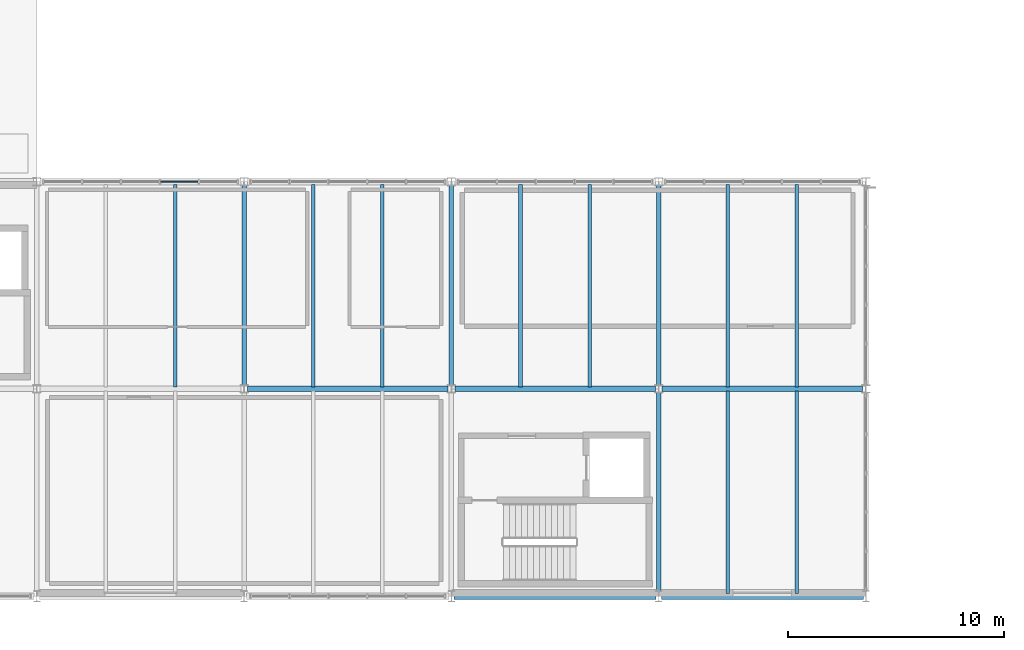
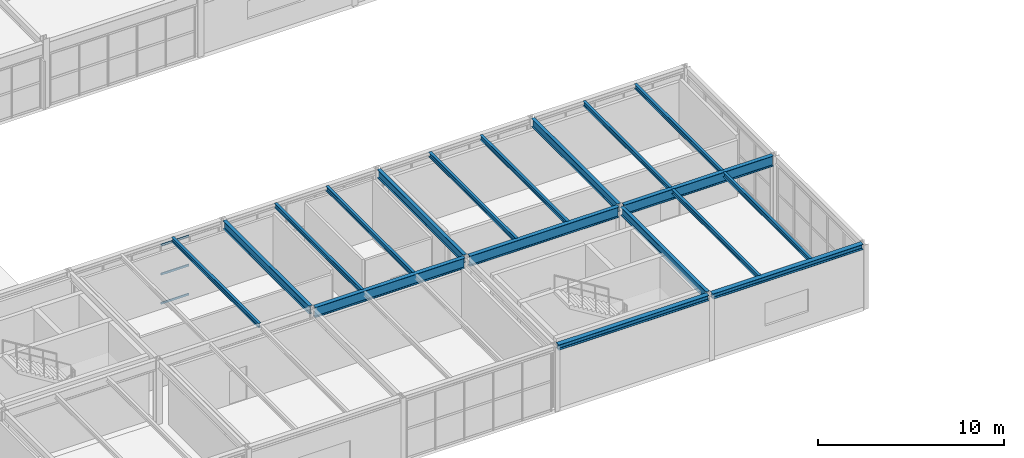
# One storey, part 63 of 170: 18 beams, 3 members, 1 element without a shape of its own.
"""IFC4 building model written with IfcOpenShell, lengths in metres."""

from ifc_helpers import new_model, si_unit, direction, frame, origin, origin_2d, place, context, subcontext, project, spatial, hollow_rectangle, i_section, extrude, material, material_profile, profile_set, type_object, element, aggregate, save


model = new_model("IFC4")

# Units and contexts
model_context = context("Model", 3, precision=1e-05, world=origin(), true_north=direction((0.0, 1.0)))
body_context = subcontext(model_context, "Body", "Model", "MODEL_VIEW")
ifc_project = project(units=[si_unit("LENGTHUNIT", "METRE"), si_unit("AREAUNIT", "SQUARE_METRE"), si_unit("VOLUMEUNIT", "CUBIC_METRE"), si_unit("PLANEANGLEUNIT", "RADIAN"), si_unit("MASSUNIT", "GRAM", prefix="KILO")], contexts=[model_context])

# Site, building, storey
site_placement = place(None, origin())
site = spatial("IfcSite", under=ifc_project, at=site_placement, CompositionType="ELEMENT")
building_placement = place(site_placement, origin())
building = spatial("IfcBuilding", under=site, at=building_placement, Name="Coralgate Yard Interchange", CompositionType="ELEMENT")
storey_placement = place(building_placement, frame((0.0, 0.0, 6.0)))
storey = spatial("IfcBuildingStorey", under=building, at=storey_placement, Name="L01", CompositionType="ELEMENT", Elevation=6.0)

# Beams
ifc_material_1 = material(Name="Structural steel S355J2", Category="steel")
ifc_material_profile_1 = material_profile(ifc_material_1, i_section(OverallWidth=0.209228515625, OverallDepth=0.533203125, WebThickness=0.010009765625, FlangeThickness=0.015625, FilletRadius=0.0126953125, at=origin_2d()), Name="UB 533x210x92")
ifc_profile_set_1 = profile_set([ifc_material_profile_1], Name="Structural steel S355J2")
beam_type_1 = type_object("IfcBeamType", Name="BM-SB-1", PredefinedType="BEAM", material=ifc_profile_set_1)
for number, where, z_axis, x_axis, name in (
    (1, (67.199951171875, 9.754150390625, 3.9833984375), (0.0, 1.0, 0.0), (-1.0, 0.0, 0.0), "L01 primary grid girder X7 Y1-2"),
    (2, (76.800048828125, 9.754150390625, 3.9833984375), (0.0, 1.0, 0.0), (-1.0, 0.0, 0.0), "L01 primary grid girder X8 Y1-2"),
):
    element("IfcBeam", number, at=place(storey_placement, frame(where, z_axis=z_axis, x_axis=x_axis)), inside=storey, type_object=beam_type_1, Name=name, PredefinedType="BEAM", context=body_context, shape_type="SweptSolid", body=[
        extrude(i_section(OverallWidth=0.209228515625, OverallDepth=0.533203125, WebThickness=0.010009765625, FlangeThickness=0.015625, FilletRadius=0.0126953125, at=origin_2d()), origin(), (0.0, 0.0, 1.0), 9.291748046875),
    ])
beam_1_placement = place(storey_placement, frame((86.39990234375, 0.219970703125, 3.9833984375), z_axis=(0.0, 1.0, 0.0), x_axis=(-1.0, 0.0, 0.0)))
element("IfcBeam", 3, at=beam_1_placement, inside=storey, type_object=beam_type_1, Name="L01 primary grid girder X9 Y0-1", PredefinedType="BEAM", context=body_context, shape_type="SweptSolid", body=[
    extrude(i_section(OverallWidth=0.209228515625, OverallDepth=0.533203125, WebThickness=0.010009765625, FlangeThickness=0.015625, FilletRadius=0.0126953125, at=origin_2d()), origin(), (0.0, 0.0, 1.0), 9.225830078125),
])
beam_2_placement = place(storey_placement, frame((86.39990234375, 9.754150390625, 3.9833984375), z_axis=(0.0, 1.0, 0.0), x_axis=(-1.0, 0.0, 0.0)))
element("IfcBeam", 4, at=beam_2_placement, inside=storey, type_object=beam_type_1, Name="L01 primary grid girder X9 Y1-2", PredefinedType="BEAM", context=body_context, shape_type="SweptSolid", body=[
    extrude(i_section(OverallWidth=0.209228515625, OverallDepth=0.533203125, WebThickness=0.010009765625, FlangeThickness=0.015625, FilletRadius=0.0126953125, at=origin_2d()), origin(), (0.0, 0.0, 1.0), 9.291748046875),
])
ifc_material_profile_2 = material_profile(ifc_material_1, i_section(OverallWidth=0.253662109375, OverallDepth=0.68359375, WebThickness=0.012451171875, FlangeThickness=0.01904296875, FilletRadius=0.01513671875, at=origin_2d()), Name="UB 686x254x140")
ifc_profile_set_2 = profile_set([ifc_material_profile_2], Name="Structural steel S355J2")
beam_type_2 = type_object("IfcBeamType", Name="BM-SG-4", PredefinedType="BEAM", material=ifc_profile_set_2)
beam_3_placement = place(storey_placement, frame((67.356201171875, 9.60009765625, 3.908203125), z_axis=(1.0, 0.0, 0.0), x_axis=(0.0, 1.0, 0.0)))
element("IfcBeam", 5, at=beam_3_placement, inside=storey, type_object=beam_type_2, Name="L01 primary grid beam Y1 X7-8", PredefinedType="BEAM", context=body_context, shape_type="SweptSolid", body=[
    extrude(i_section(OverallWidth=0.253662109375, OverallDepth=0.68359375, WebThickness=0.012451171875, FlangeThickness=0.01904296875, FilletRadius=0.01513671875, at=origin_2d()), origin(), (0.0, 0.0, 1.0), 9.28759765625),
])
for number, where, z_axis, x_axis, name in (
    (6, (76.956298828125, 9.60009765625, 3.908203125), (1.0, 0.0, 0.0), (0.0, 1.0, 0.0), "L01 primary grid beam Y1 X8-9"),
    (7, (86.556396484375, 9.60009765625, 3.908203125), (1.0, 0.0, 0.0), (0.0, 1.0, 0.0), "L01 primary grid beam Y1 X9-10"),
):
    element("IfcBeam", number, at=place(storey_placement, frame(where, z_axis=z_axis, x_axis=x_axis)), inside=storey, type_object=beam_type_2, Name=name, PredefinedType="BEAM", context=body_context, shape_type="SweptSolid", body=[
        extrude(i_section(OverallWidth=0.253662109375, OverallDepth=0.68359375, WebThickness=0.012451171875, FlangeThickness=0.01904296875, FilletRadius=0.01513671875, at=origin_2d()), origin(), (0.0, 0.0, 1.0), 9.287353515625),
    ])
ifc_material_profile_3 = material_profile(ifc_material_1, i_section(OverallWidth=0.1650390625, OverallDepth=0.303466796875, WebThickness=0.006103515625, FlangeThickness=0.01025390625, FilletRadius=0.0087890625, at=origin_2d()), Name="UB 305x165x40")
ifc_profile_set_3 = profile_set([ifc_material_profile_3], Name="Structural steel S355J2")
beam_type_3 = type_object("IfcBeamType", Name="BM-SJ-1", PredefinedType="JOIST", material=ifc_profile_set_3)
for number, where, z_axis, x_axis, name in (
    (8, (64.0, 9.69677734375, 4.098388671875), (0.0, 1.0, 0.0), (-1.0, 0.0, 0.0), "L01 composite floor joist 6-1-2"),
    (9, (70.39990234375, 9.69677734375, 4.098388671875), (0.0, 1.0, 0.0), (-1.0, 0.0, 0.0), "L01 composite floor joist 7-1-1"),
    (10, (73.60009765625, 9.69677734375, 4.098388671875), (0.0, 1.0, 0.0), (-1.0, 0.0, 0.0), "L01 composite floor joist 7-1-2"),
    (11, (80.0, 9.69677734375, 4.098388671875), (0.0, 1.0, 0.0), (-1.0, 0.0, 0.0), "L01 composite floor joist 8-1-1"),
    (12, (83.199951171875, 9.69677734375, 4.098388671875), (0.0, 1.0, 0.0), (-1.0, 0.0, 0.0), "L01 composite floor joist 8-1-2"),
):
    element("IfcBeam", number, at=place(storey_placement, frame(where, z_axis=z_axis, x_axis=x_axis)), inside=storey, type_object=beam_type_3, Name=name, PredefinedType="JOIST", context=body_context, shape_type="SweptSolid", body=[
        extrude(i_section(OverallWidth=0.1650390625, OverallDepth=0.303466796875, WebThickness=0.006103515625, FlangeThickness=0.01025390625, FilletRadius=0.0087890625, at=origin_2d()), origin(), (0.0, 0.0, 1.0), 9.38330078125),
    ])
for number, where, z_axis, x_axis, name in (
    (13, (89.60009765625, 0.1201171875, 4.098388671875), (0.0, 1.0, 0.0), (-1.0, 0.0, 0.0), "L01 composite floor joist 9-0-1"),
    (14, (92.800048828125, 0.1201171875, 4.098388671875), (0.0, 1.0, 0.0), (-1.0, 0.0, 0.0), "L01 composite floor joist 9-0-2"),
):
    element("IfcBeam", number, at=place(storey_placement, frame(where, z_axis=z_axis, x_axis=x_axis)), inside=storey, type_object=beam_type_3, Name=name, PredefinedType="JOIST", context=body_context, shape_type="SweptSolid", body=[
        extrude(i_section(OverallWidth=0.1650390625, OverallDepth=0.303466796875, WebThickness=0.006103515625, FlangeThickness=0.01025390625, FilletRadius=0.0087890625, at=origin_2d()), origin(), (0.0, 0.0, 1.0), 9.383056640625),
    ])
for number, where, z_axis, x_axis, name in (
    (15, (89.60009765625, 9.69677734375, 4.098388671875), (0.0, 1.0, 0.0), (-1.0, 0.0, 0.0), "L01 composite floor joist 9-1-1"),
    (16, (92.800048828125, 9.69677734375, 4.098388671875), (0.0, 1.0, 0.0), (-1.0, 0.0, 0.0), "L01 composite floor joist 9-1-2"),
):
    element("IfcBeam", number, at=place(storey_placement, frame(where, z_axis=z_axis, x_axis=x_axis)), inside=storey, type_object=beam_type_3, Name=name, PredefinedType="JOIST", context=body_context, shape_type="SweptSolid", body=[
        extrude(i_section(OverallWidth=0.1650390625, OverallDepth=0.303466796875, WebThickness=0.006103515625, FlangeThickness=0.01025390625, FilletRadius=0.0087890625, at=origin_2d()), origin(), (0.0, 0.0, 1.0), 9.38330078125),
    ])
ifc_material_profile_4 = material_profile(ifc_material_1, i_section(OverallWidth=0.300048828125, OverallDepth=0.35009765625, WebThickness=0.010009765625, FlangeThickness=0.017578125, FilletRadius=0.027099609375, at=origin_2d()), Name="HEA 360")
ifc_profile_set_4 = profile_set([ifc_material_profile_4], Name="Structural steel S355J2")
beam_type_4 = type_object("IfcBeamType", Name="BM-SP-1", PredefinedType="SPANDREL", material=ifc_profile_set_4)
beam_4_placement = place(storey_placement, frame((76.919921875, 0.0, 4.074951171875), z_axis=(1.0, 0.0, 0.0), x_axis=(0.0, 1.0, 0.0)))
element("IfcBeam", 17, at=beam_4_placement, inside=storey, type_object=beam_type_4, Name="L01 primary grid beam Y0 X8-9", PredefinedType="SPANDREL", context=body_context, shape_type="SweptSolid", body=[
    extrude(i_section(OverallWidth=0.300048828125, OverallDepth=0.35009765625, WebThickness=0.010009765625, FlangeThickness=0.017578125, FilletRadius=0.027099609375, at=origin_2d()), origin(), (0.0, 0.0, 1.0), 9.360107421875),
])
beam_5_placement = place(storey_placement, frame((86.52001953125, 0.0, 4.074951171875), z_axis=(1.0, 0.0, 0.0), x_axis=(0.0, 1.0, 0.0)))
element("IfcBeam", 18, at=beam_5_placement, inside=storey, type_object=beam_type_4, Name="L01 primary grid beam Y0 X9-10", PredefinedType="SPANDREL", context=body_context, shape_type="SweptSolid", body=[
    extrude(i_section(OverallWidth=0.300048828125, OverallDepth=0.35009765625, WebThickness=0.010009765625, FlangeThickness=0.017578125, FilletRadius=0.027099609375, at=origin_2d()), origin(), (0.0, 0.0, 1.0), 9.35986328125),
])

# Curtain wall, members
ifc_material_2 = material(Name="Anodised coastal aluminium and solar-control low-E glass", Category="aluminium")
curtain_wall_type = type_object("IfcCurtainWallType", Name="CW-CW-L01-B", PredefinedType="NOTDEFINED", material=ifc_material_2)
curtain_wall_placement = place(storey_placement, origin())
curtain_wall = element("IfcCurtainWall", 19, at=curtain_wall_placement, inside=storey, type_object=curtain_wall_type, Name="L01 unitised curtain wall CW-L01-N-06-01", PredefinedType="NOTDEFINED")
ifc_material_3 = material(Name="Anodised coastal aluminium 6063-T6", Category="aluminium")
ifc_material_profile_5 = material_profile(ifc_material_3, hollow_rectangle(XDim=0.06005859375, YDim=0.139892578125, WallThickness=0.00341796875, InnerFilletRadius=0.00341796875, OuterFilletRadius=0.007080078125, at=origin_2d()), Name="ALU 60x140x3.5")
ifc_profile_set_5 = profile_set([ifc_material_profile_5], Name="Anodised coastal aluminium 6063-T6")
member_type = type_object("IfcMemberType", Name="MB-TRN-140", PredefinedType="USERDEFINED", material=ifc_profile_set_5)
member_1_placement = place(storey_placement, frame((63.330078125, 19.199951171875, 0.034912109375), z_axis=(1.0, 0.0, 0.0), x_axis=(0.0, 1.0, 0.0)))
member_1 = element("IfcMember", 20, at=member_1_placement, type_object=member_type, Name="CW-L01-N-06-01 horizontal transom 4-1", ObjectType="TRANSOM", PredefinedType="USERDEFINED", context=body_context, shape_type="SweptSolid", body=[
    extrude(hollow_rectangle(XDim=0.06005859375, YDim=0.139892578125, WallThickness=0.00341796875, InnerFilletRadius=0.00341796875, OuterFilletRadius=0.007080078125, at=origin_2d()), origin(), (0.0, 0.0, 1.0), 1.739990234375),
])
member_2_placement = place(storey_placement, frame((63.330078125, 19.199951171875, 1.949951171875), z_axis=(1.0, 0.0, 0.0), x_axis=(0.0, 1.0, 0.0)))
member_2 = element("IfcMember", 21, at=member_2_placement, type_object=member_type, Name="CW-L01-N-06-01 horizontal transom 4-2", ObjectType="TRANSOM", PredefinedType="USERDEFINED", context=body_context, shape_type="SweptSolid", body=[
    extrude(hollow_rectangle(XDim=0.06005859375, YDim=0.139892578125, WallThickness=0.00341796875, InnerFilletRadius=0.00341796875, OuterFilletRadius=0.007080078125, at=origin_2d()), origin(), (0.0, 0.0, 1.0), 1.739990234375),
])
member_3_placement = place(storey_placement, frame((63.330078125, 19.199951171875, 3.864990234375), z_axis=(1.0, 0.0, 0.0), x_axis=(0.0, 1.0, 0.0)))
member_3 = element("IfcMember", 22, at=member_3_placement, type_object=member_type, Name="CW-L01-N-06-01 horizontal transom 4-3", ObjectType="TRANSOM", PredefinedType="USERDEFINED", context=body_context, shape_type="SweptSolid", body=[
    extrude(hollow_rectangle(XDim=0.06005859375, YDim=0.139892578125, WallThickness=0.00341796875, InnerFilletRadius=0.00341796875, OuterFilletRadius=0.007080078125, at=origin_2d()), origin(), (0.0, 0.0, 1.0), 1.739990234375),
])
aggregate(curtain_wall, [member_1, member_2, member_3])

save(model, "model.ifc")
